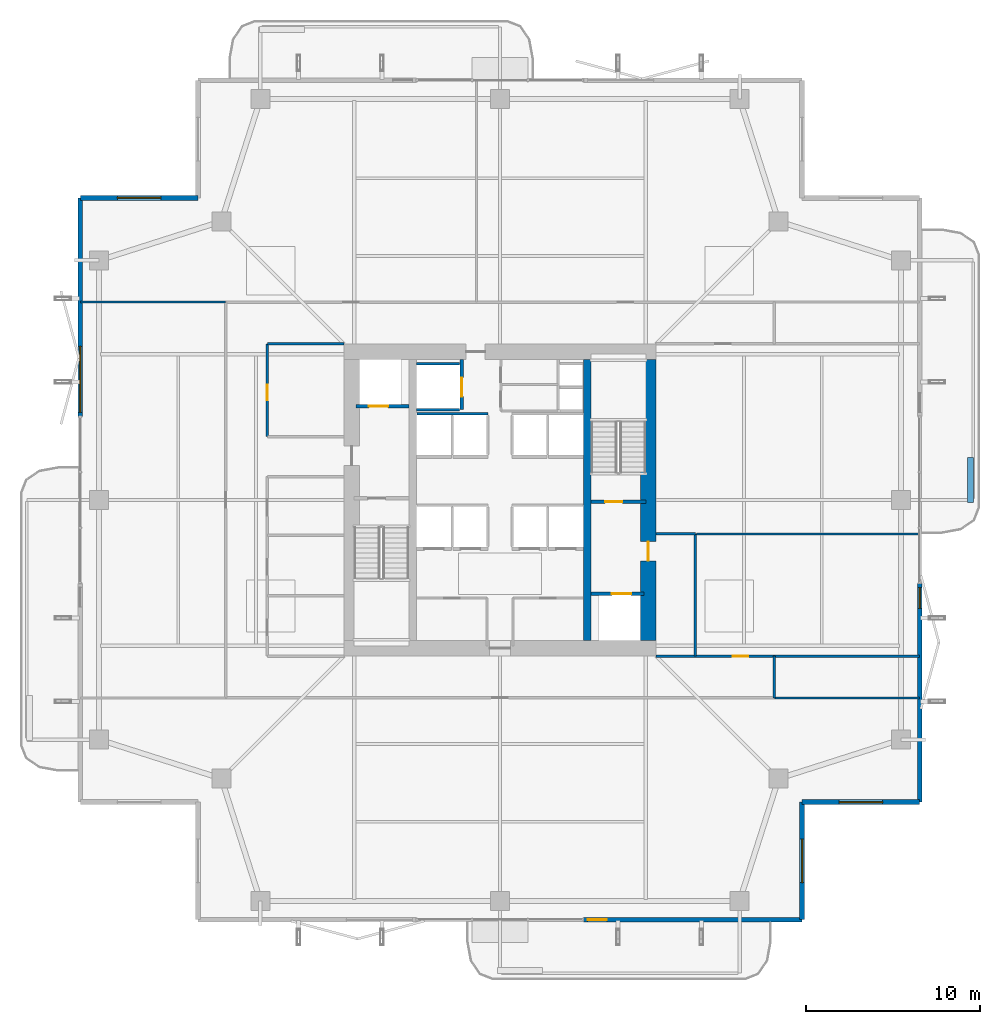
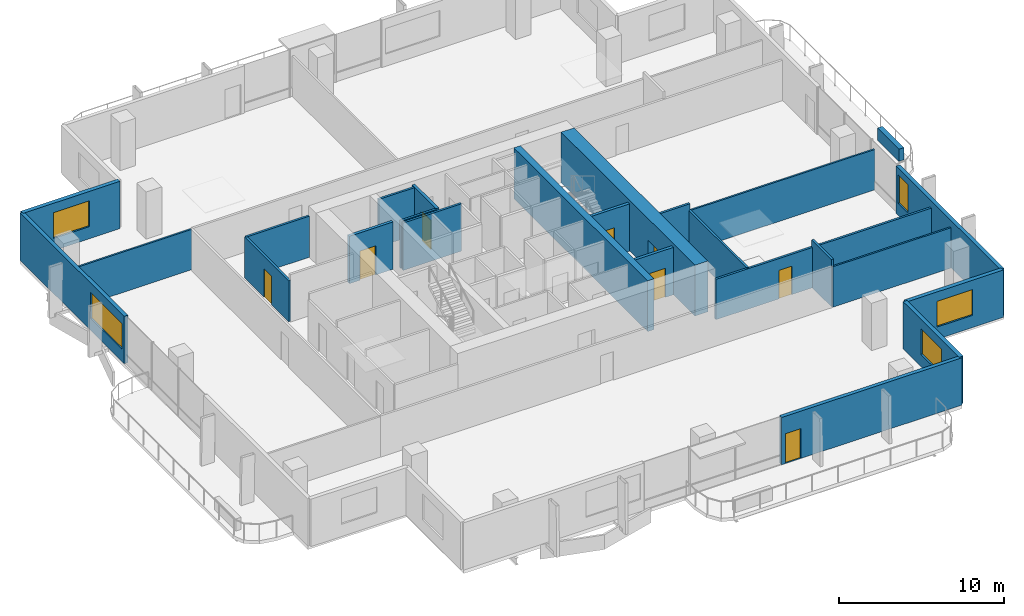
# One storey, part 19 of 25: 25 walls, 8 doors, 5 windows, 13 openings.
"""IFC4 building model written with IfcOpenShell, lengths in metres."""

import ifcopenshell
import ifcopenshell.guid

model = None  # the IFC model being written
_history = None  # IfcOwnerHistory: only IFC2X3 demands one
_inside = {}  # id of a spatial element -> (the spatial element, [elements in it])
_under = {}  # id of a project, library or spatial element -> (it, [spatial elements below it])
_declared = {}  # id of a project -> (the project, [libraries it declares])
_typed = {}  # id of a type object -> (the type object, [elements of that type])
_made_of = {}  # id of a material, layer set ... -> (it, [elements and type objects made of it])


def new_model(schema):
    """Start an empty IFC model of exactly this schema.

    Asked for "IFC4X3", IfcOpenShell would pick the latest addendum, in which some entities
    have other attributes; the version numbers below select the first issue.
    IFC2X3 requires an IfcOwnerHistory on every rooted entity: one is made here for all.
    """
    global model, _history
    if schema == "IFC4X3":
        model = ifcopenshell.file(schema_version=(4, 3, 0, 0))
    else:
        model = ifcopenshell.file(schema=schema)
    _inside.clear()
    _under.clear()
    _declared.clear()
    _typed.clear()
    _made_of.clear()
    _history = None
    if model.schema == "IFC2X3":
        org = make("IfcOrganization", Name="unknown")
        user = make(
            "IfcPersonAndOrganization",
            ThePerson=make("IfcPerson", FamilyName="unknown"),
            TheOrganization=org,
        )
        app = make(
            "IfcApplication",
            ApplicationDeveloper=org,
            Version="unknown",
            ApplicationFullName="unknown",
            ApplicationIdentifier="unknown",
        )
        _history = make(
            "IfcOwnerHistory",
            OwningUser=user,
            OwningApplication=app,
            ChangeAction="ADDED",
            CreationDate=0,
        )
    return model


def make(cls, **values):
    """One entity of the class cls with the attributes given. An attribute that is None is left unset."""
    return model.create_entity(
        cls, **{name: value for name, value in values.items() if value is not None}
    )


def rooted(cls, **values):
    """An entity with a GlobalId (a new one), such as an element, a storey or a relation."""
    return make(cls, GlobalId=ifcopenshell.guid.new(), OwnerHistory=_history, **values)


def si_unit(unit_type, name, prefix=None):
    """IfcSIUnit, for example si_unit("LENGTHUNIT", "METRE", prefix="MILLI")."""
    return make("IfcSIUnit", UnitType=unit_type, Prefix=prefix, Name=name)


def assignment(units):
    """IfcUnitAssignment: the units of a project."""
    return None if units is None else make("IfcUnitAssignment", Units=units)


def point(xyz):
    """IfcCartesianPoint."""
    return None if xyz is None else make("IfcCartesianPoint", Coordinates=xyz)


def direction(xyz):
    """IfcDirection."""
    return None if xyz is None else make("IfcDirection", DirectionRatios=xyz)


def frame(location, z_axis=None, x_axis=None):
    """IfcAxis2Placement3D, a coordinate frame: its origin and axes. An axis left out is left unset."""
    return make(
        "IfcAxis2Placement3D",
        Location=point(location),
        Axis=direction(z_axis),
        RefDirection=direction(x_axis),
    )


def frame_2d(location, x_axis=None):
    """IfcAxis2Placement2D, a coordinate frame in the plane: its origin and x axis."""
    return make(
        "IfcAxis2Placement2D", Location=point(location), RefDirection=direction(x_axis)
    )


def origin():
    """The frame at (0, 0, 0) with its axes left unset."""
    return frame((0.0, 0.0, 0.0))


def place(relative_to, where):
    """IfcLocalPlacement: puts the frame where relative to a parent placement (None: the world)."""
    return make(
        "IfcLocalPlacement", PlacementRelTo=relative_to, RelativePlacement=where
    )


def context(
    kind, dimensions, precision=None, world=None, true_north=None, identifier=None
):
    """IfcGeometricRepresentationContext, for example the 3D "Model" context."""
    return make(
        "IfcGeometricRepresentationContext",
        ContextIdentifier=identifier,
        ContextType=kind,
        CoordinateSpaceDimension=dimensions,
        Precision=precision,
        WorldCoordinateSystem=world,
        TrueNorth=true_north,
    )


def subcontext(parent, identifier, kind, view, scale=None):
    """IfcGeometricRepresentationSubContext, for example "Body" below "Model"."""
    return make(
        "IfcGeometricRepresentationSubContext",
        ContextIdentifier=identifier,
        ContextType=kind,
        ParentContext=parent,
        TargetScale=scale,
        TargetView=view,
    )


def project(units=None, contexts=None):
    """IfcProject with its units and contexts."""
    return rooted(
        "IfcProject",
        Name="project",
        RepresentationContexts=contexts,
        UnitsInContext=assignment(units),
    )


def spatial(cls, under=None, at=None, **own):
    """A site, building, storey or space (cls), placed at a placement, below another one or the project."""
    s = rooted(cls, ObjectPlacement=at, **own)
    if under is not None:
        _under.setdefault(under.id(), (under, []))[1].append(s)
    return s


def profile(cls, at=None, kind="AREA", **sizes):
    """A parametric profile (cls). Its sizes go by their IFC names, for example OverallWidth=200.0."""
    return make(cls, ProfileType=kind, Position=at, **sizes)


def rectangle(**sizes):
    """IfcRectangleProfileDef."""
    return profile("IfcRectangleProfileDef", **sizes)


def extrude(swept, where, along, depth):
    """IfcExtrudedAreaSolid: the profile swept, set in the frame where, extruded along a direction by depth."""
    return make(
        "IfcExtrudedAreaSolid",
        SweptArea=swept,
        Position=where,
        ExtrudedDirection=direction(along),
        Depth=depth,
    )


def shape(context_of_items, identifier, shape_type, items):
    """IfcShapeRepresentation: the items that make up one representation, for example the "Body"."""
    return make(
        "IfcShapeRepresentation",
        ContextOfItems=context_of_items,
        RepresentationIdentifier=identifier,
        RepresentationType=shape_type,
        Items=items,
    )


def material(Name=None, Category=None):
    """IfcMaterial."""
    return make("IfcMaterial", Name=Name, Category=Category)


def layer(
    of_material, thickness, ventilated=None, Name=None, Category=None, Priority=None
):
    """IfcMaterialLayer: one layer of a wall or slab, of a material (None: an air gap)."""
    return make(
        "IfcMaterialLayer",
        Material=of_material,
        LayerThickness=thickness,
        IsVentilated=ventilated,
        Name=Name,
        Category=Category,
        Priority=Priority,
    )


def layer_set(layers, Name=None):
    """IfcMaterialLayerSet."""
    return make("IfcMaterialLayerSet", MaterialLayers=layers, LayerSetName=Name)


def made_of(thing, what):
    """Note that an element or type object is made of a material, layer set ...; save() writes the relation."""
    if what is not None:
        _made_of.setdefault(what.id(), (what, []))[1].append(thing)
    return thing


def type_object(cls, material=None, **own):
    """A type object (cls), such as IfcWallType, which elements share."""
    return made_of(rooted(cls, **own), material)


def element(
    cls,
    number,
    at=None,
    inside=None,
    cuts=None,
    type_object=None,
    material=None,
    context=None,
    identifier="Body",
    shape_type=None,
    held_by="IfcProductDefinitionShape",
    body=None,
    shapes=None,
    **own,
):
    """One element of the class cls, such as IfcWall. Its Tag is "e" and its number.

    at: its placement. inside: the storey or other place that contains it. cuts: it is an
    opening in that element (IfcRelVoidsElement). A single representation is given by context,
    identifier, shape_type and body (its items); several are given by shapes. held_by: the class
    of the entity that holds the representations. save() writes the other relations.
    """
    e = rooted(cls, Tag="e%d" % number, ObjectPlacement=at, **own)
    if body is not None:
        shapes = [shape(context, identifier, shape_type, body)]
    if shapes is not None:
        e.Representation = make(held_by, Representations=shapes)
    if inside is not None:
        _inside.setdefault(inside.id(), (inside, []))[1].append(e)
    if cuts is not None:
        rooted(
            "IfcRelVoidsElement", RelatingBuildingElement=cuts, RelatedOpeningElement=e
        )
    if type_object is not None:
        _typed.setdefault(type_object.id(), (type_object, []))[1].append(e)
    return made_of(e, material)


def fill(opening, filler):
    """IfcRelFillsElement: the door or window that sits in an opening."""
    return rooted(
        "IfcRelFillsElement",
        RelatingOpeningElement=opening,
        RelatedBuildingElement=filler,
    )


def aggregate(whole, parts):
    """IfcRelAggregates: a whole, such as a stair, and the parts it consists of."""
    return rooted("IfcRelAggregates", RelatingObject=whole, RelatedObjects=parts)


def save(model, path):
    """Write the relations noted so far, then the file.

    IfcRelAggregates (storeys below a building ...), IfcRelContainedInSpatialStructure (elements
    in a storey), IfcRelDefinesByType, IfcRelAssociatesMaterial and IfcRelDeclares: one each for
    every whole, place, type object, material and project.
    """
    for whole, parts in _under.values():
        aggregate(whole, parts)
    for where, things in _inside.values():
        rooted(
            "IfcRelContainedInSpatialStructure",
            RelatedElements=things,
            RelatingStructure=where,
        )
    for kind, things in _typed.values():
        rooted("IfcRelDefinesByType", RelatedObjects=things, RelatingType=kind)
    for what, things in _made_of.values():
        rooted("IfcRelAssociatesMaterial", RelatedObjects=things, RelatingMaterial=what)
    for by, libraries in _declared.values():
        rooted("IfcRelDeclares", RelatingContext=by, RelatedDefinitions=libraries)
    model.write(path)


model = new_model("IFC4")

# Units and contexts
model_context = context("Model", 3, precision=1e-05, world=origin(), true_north=direction((0.0, 1.0)))
body_context = subcontext(model_context, "Body", "Model", "MODEL_VIEW")
ifc_project = project(units=[si_unit("LENGTHUNIT", "METRE"), si_unit("AREAUNIT", "SQUARE_METRE"), si_unit("VOLUMEUNIT", "CUBIC_METRE"), si_unit("PLANEANGLEUNIT", "RADIAN"), si_unit("MASSUNIT", "GRAM", prefix="KILO")], contexts=[model_context])

# Site, building, storey
site_placement = place(None, origin())
site = spatial("IfcSite", under=ifc_project, at=site_placement, CompositionType="ELEMENT")
building_placement = place(site_placement, origin())
building = spatial("IfcBuilding", under=site, at=building_placement, Name="Belovzor Exchange Tower", CompositionType="ELEMENT")
storey_placement = place(building_placement, frame((0.0, 0.0, 175.800048828125)))
storey = spatial("IfcBuildingStorey", under=building, at=storey_placement, Name="L43", CompositionType="ELEMENT", Elevation=175.800048828125)

# Walls
ifc_material_1 = material(Name="Acoustic Plasterboard on Galvanised Studs", Category="gypsum")
ifc_layer_1 = layer(ifc_material_1, 0.1201171875)
ifc_layer_set_1 = layer_set([ifc_layer_1], Name="Acoustic Plasterboard on Galvanised Studs")
wall_type_1 = type_object("IfcWallType", Name="Acoustic Double-Stud Partition Wall 120", PredefinedType="PARTITIONING", material=ifc_layer_set_1)
wall_1_placement = place(storey_placement, frame((40.125, 26.85009765625, 0.0), z_axis=(0.0, 0.0, 1.0), x_axis=(1.0, 0.0, 0.0)))
element("IfcWall", 1, at=wall_1_placement, inside=storey, type_object=wall_type_1, Name="W-P120 Partition Wall W-L43-EDIV-1", PredefinedType="PARTITIONING", context=body_context, shape_type="SweptSolid", body=[
    extrude(rectangle(XDim=12.844970703125, YDim=0.1201171875, at=frame_2d((6.42236328125, 0.0))), origin(), (0.0, 0.0, 1.0), 2.97998046875),
])
wall_2_placement = place(storey_placement, frame((44.60009765625, 17.39990234375, 0.0), z_axis=(0.0, 0.0, 1.0), x_axis=(1.0, 0.0, 0.0)))
element("IfcWall", 2, at=wall_2_placement, inside=storey, type_object=wall_type_1, Name="W-P120 Partition Wall W-L43-END-SE", PredefinedType="PARTITIONING", context=body_context, shape_type="SweptSolid", body=[
    extrude(rectangle(XDim=8.369873046875, YDim=0.1201171875, at=frame_2d((4.18505859375, 0.0))), origin(), (0.0, 0.0, 1.0), 2.97998046875),
])
wall_3_placement = place(storey_placement, frame((4.6298828125, 40.199951171875, 0.0), z_axis=(0.0, 0.0, 1.0), x_axis=(1.0, 0.0, 0.0)))
element("IfcWall", 3, at=wall_3_placement, inside=storey, type_object=wall_type_1, Name="W-P120 Partition Wall W-L43-END-NW", PredefinedType="PARTITIONING", context=body_context, shape_type="SweptSolid", body=[
    extrude(rectangle(XDim=8.3701171875, YDim=0.1201171875, at=frame_2d((4.18505859375, 0.0))), origin(), (0.0, 0.0, 1.0), 2.97998046875),
])
ifc_material_2 = material(Name="Fire-Rated Gypsum Block and Mineral Wool", Category="gypsum")
ifc_layer_2 = layer(ifc_material_2, 0.14990234375)
ifc_layer_set_2 = layer_set([ifc_layer_2], Name="Fire-Rated Gypsum Block and Mineral Wool")
wall_type_2 = type_object("IfcWallType", Name="Fire-Rated Gypsum Block Corridor Wall 150", PredefinedType="PARTITIONING", material=ifc_layer_set_2)
wall_4_placement = place(storey_placement, frame((15.39990234375, 37.800048828125, 0.0), z_axis=(0.0, 0.0, 1.0), x_axis=(1.0, 0.0, 0.0)))
element("IfcWall", 4, at=wall_4_placement, inside=storey, type_object=wall_type_2, Name="W-P150 Partition Wall W-L43-INW-N", PredefinedType="PARTITIONING", context=body_context, shape_type="SweptSolid", body=[
    extrude(rectangle(XDim=4.400146484375, YDim=0.14990234375, at=frame_2d((2.2001953125, 0.0))), origin(), (0.0, 0.0, 1.0), 3.030029296875),
])

# Wall, opening, door
wall_5_placement = place(storey_placement, frame((15.39990234375, 32.449951171875, 0.0), z_axis=(0.0, 0.0, 1.0), x_axis=(0.0, 1.0, 0.0)))
wall_5 = element("IfcWall", 5, at=wall_5_placement, inside=storey, type_object=wall_type_2, Name="W-P150 Partition Wall W-L43-WIE-N", PredefinedType="PARTITIONING", context=body_context, shape_type="SweptSolid", body=[
    extrude(rectangle(XDim=5.35009765625, YDim=0.14990234375, at=frame_2d((2.675048828125, 0.0))), origin(), (0.0, 0.0, 1.0), 3.030029296875),
])
opening_1_placement = place(wall_5_placement, frame((2.10009765625, 0.0, 0.0)))
opening_1 = element("IfcOpeningElement", 6, at=opening_1_placement, cuts=wall_5, Name="Opening D-FD60-090", PredefinedType="OPENING", context=body_context, shape_type="SweptSolid", body=[
    extrude(rectangle(XDim=0.89990234375, YDim=2.10009765625, at=frame_2d((0.449951171875, 1.050048828125))), frame((0.0, 0.0849609375, 0.0), z_axis=(0.0, -1.0, 0.0), x_axis=(1.0, 0.0, 0.0)), (0.0, 0.0, 1.0), 0.169921875),
])
ifc_material_3 = material(Name="Acoustic Timber Fire Leaf", Category="wood")
door_type_1 = type_object("IfcDoorType", Name="Core Service & Restroom Fire Door 900x2100", OperationType="NOTDEFINED", PredefinedType="DOOR", material=ifc_material_3)
door_1_placement = place(opening_1_placement, origin())
door_1 = element("IfcDoor", 7, at=door_1_placement, inside=storey, type_object=door_type_1, Name="D-FD60-090 Core Service & Restroom Fire Door 900x2100", OperationType="SINGLE_SWING_LEFT", OverallHeight=2.10009765625, OverallWidth=0.89990234375, PredefinedType="DOOR", context=body_context, shape_type="SweptSolid", body=[
    extrude(rectangle(XDim=0.89990234375, YDim=2.10009765625, at=frame_2d((0.449951171875, 1.050048828125))), frame((0.0, 0.02490234375, 0.0), z_axis=(0.0, -1.0, 0.0), x_axis=(1.0, 0.0, 0.0)), (0.0, 0.0, 1.0), 0.050048828125),
])
fill(opening_1, door_1)

# Walls
wall_6_placement = place(storey_placement, frame((37.800048828125, 26.85009765625, 0.0), z_axis=(0.0, 0.0, 1.0), x_axis=(1.0, 0.0, 0.0)))
element("IfcWall", 8, at=wall_6_placement, inside=storey, type_object=wall_type_2, Name="W-P150 Partition Wall W-L43-CFE-N", PredefinedType="PARTITIONING", context=body_context, shape_type="SweptSolid", body=[
    extrude(rectangle(XDim=2.25, YDim=0.14990234375, at=frame_2d((1.125, 0.0))), origin(), (0.0, 0.0, 1.0), 3.494873046875),
])
wall_7_placement = place(storey_placement, frame((40.050048828125, 19.800048828125, 0.0), z_axis=(0.0, 0.0, 1.0), x_axis=(0.0, 1.0, 0.0)))
element("IfcWall", 9, at=wall_7_placement, inside=storey, type_object=wall_type_2, Name="W-P150 Partition Wall W-L43-CFE-E", PredefinedType="PARTITIONING", context=body_context, shape_type="SweptSolid", body=[
    extrude(rectangle(XDim=7.050048828125, YDim=0.14990234375, at=frame_2d((3.52490234375, 0.0))), origin(), (0.0, 0.0, 1.0), 3.030029296875),
])
wall_8_placement = place(storey_placement, frame((44.60009765625, 17.39990234375, 0.0), z_axis=(0.0, 0.0, 1.0), x_axis=(0.0, 1.0, 0.0)))
element("IfcWall", 10, at=wall_8_placement, inside=storey, type_object=wall_type_2, Name="W-P150 Partition Wall W-L43-END-ES", PredefinedType="PARTITIONING", context=body_context, shape_type="SweptSolid", body=[
    extrude(rectangle(XDim=2.400146484375, YDim=0.14990234375, at=frame_2d((1.2001953125, 0.0))), origin(), (0.0, 0.0, 1.0), 3.494873046875),
])

# Wall, opening, door
wall_9_placement = place(storey_placement, frame((37.800048828125, 19.800048828125, 0.0), z_axis=(0.0, 0.0, 1.0), x_axis=(1.0, 0.0, 0.0)))
wall_9 = element("IfcWall", 11, at=wall_9_placement, inside=storey, type_object=wall_type_2, Name="W-P150 Partition Wall W-L43-CS-IN", PredefinedType="PARTITIONING", context=body_context, shape_type="SweptSolid", body=[
    extrude(rectangle(XDim=15.169921875, YDim=0.14990234375, at=frame_2d((7.5849609375, 0.0))), origin(), (0.0, 0.0, 1.0), 2.97998046875),
])
opening_2_placement = place(wall_9_placement, frame((4.39990234375, 0.0, 0.0)))
opening_2 = element("IfcOpeningElement", 12, at=opening_2_placement, cuts=wall_9, Name="Opening D-INT-090", PredefinedType="OPENING", context=body_context, shape_type="SweptSolid", body=[
    extrude(rectangle(XDim=0.89990234375, YDim=2.10009765625, at=frame_2d((0.449951171875, 1.050048828125))), frame((0.0, 0.0849609375, 0.0), z_axis=(0.0, -1.0, 0.0), x_axis=(1.0, 0.0, 0.0)), (0.0, 0.0, 1.0), 0.169921875),
])
ifc_material_4 = material(Name="Veneered Hardwood Acoustic Leaf", Category="wood")
door_type_2 = type_object("IfcDoorType", Name="Trading Suite Acoustic Single Door 900x2100", OperationType="NOTDEFINED", PredefinedType="DOOR", material=ifc_material_4)
door_2_placement = place(opening_2_placement, origin())
door_2 = element("IfcDoor", 13, at=door_2_placement, inside=storey, type_object=door_type_2, Name="D-INT-090 Trading Suite Acoustic Single Door 900x2100", OperationType="SINGLE_SWING_LEFT", OverallHeight=2.10009765625, OverallWidth=0.89990234375, PredefinedType="DOOR", context=body_context, shape_type="SweptSolid", body=[
    extrude(rectangle(XDim=0.89990234375, YDim=2.10009765625, at=frame_2d((0.449951171875, 1.050048828125))), frame((0.0, 0.02490234375, 0.0), z_axis=(0.0, -1.0, 0.0), x_axis=(1.0, 0.0, 0.0)), (0.0, 0.0, 1.0), 0.050048828125),
])
fill(opening_2, door_2)

# Wall, opening, window
ifc_material_5 = material(Name="Precast concrete C40/50", Category="concrete")
ifc_layer_3 = layer(ifc_material_5, 0.280029296875)
ifc_layer_set_3 = layer_set([ifc_layer_3], Name="Precast concrete C40/50")
wall_type_3 = type_object("IfcWallType", Name="Precast Concrete Notched Corner Frame Wall 280", PredefinedType="SOLIDWALL", material=ifc_layer_set_3)
wall_10_placement = place(storey_placement, frame((4.6298828125, 46.199951171875, 0.0), z_axis=(0.0, 0.0, 1.0), x_axis=(1.0, 0.0, 0.0)))
wall_10 = element("IfcWall", 14, at=wall_10_placement, inside=storey, type_object=wall_type_3, Name="W-CRN280 Precast Concrete Notched Corner Frame Wall 280 L43", PredefinedType="SOLIDWALL", context=body_context, shape_type="SweptSolid", body=[
    extrude(rectangle(XDim=6.77001953125, YDim=0.280029296875, at=frame_2d((3.385009765625, 0.0))), origin(), (0.0, 0.0, 1.0), 3.494873046875),
])
opening_3_placement = place(wall_10_placement, frame((2.135009765625, 0.0, 0.89990234375)))
opening_3 = element("IfcOpeningElement", 15, at=opening_3_placement, cuts=wall_10, Name="Opening WN-CRN250", PredefinedType="OPENING", context=body_context, shape_type="SweptSolid", body=[
    extrude(rectangle(XDim=2.5, YDim=1.89990234375, at=frame_2d((1.25, 0.949951171875))), frame((0.0, 0.14990234375, 0.0), z_axis=(0.0, -1.0, 0.0), x_axis=(1.0, 0.0, 0.0)), (0.0, 0.0, 1.0), 0.300048828125),
])
ifc_material_6 = material(Name="Thermally Broken Aluminium and Triple Glazing", Category="aluminium")
window_type_1 = type_object("IfcWindowType", Name="Streamline Moderne Corner Wrap Ribbon Window 2500x1900", PartitioningType="SINGLE_PANEL", PredefinedType="WINDOW", material=ifc_material_6)
window_1_placement = place(opening_3_placement, origin())
window_1 = element("IfcWindow", 16, at=window_1_placement, inside=storey, type_object=window_type_1, Name="WN-CRN250 Streamline Moderne Corner Wrap Ribbon Window 2500x1900", OverallHeight=1.89990234375, OverallWidth=2.5, PartitioningType="SINGLE_PANEL", PredefinedType="WINDOW", context=body_context, shape_type="SweptSolid", body=[
    extrude(rectangle(XDim=2.5, YDim=1.89990234375, at=frame_2d((1.25, 0.949951171875))), frame((0.0, 0.030029296875, 0.0), z_axis=(0.0, -1.0, 0.0), x_axis=(1.0, 0.0, 0.0)), (0.0, 0.0, 1.0), 0.06005859375),
])
fill(opening_3, window_1)

wall_11_placement = place(storey_placement, frame((52.969970703125, 11.39990234375, 0.0), z_axis=(0.0, 0.0, 1.0), x_axis=(-1.0, 0.0, 0.0)))
wall_11 = element("IfcWall", 17, at=wall_11_placement, inside=storey, type_object=wall_type_3, Name="W-CRN280 Precast Concrete Notched Corner Frame Wall 280 L43", PredefinedType="SOLIDWALL", context=body_context, shape_type="SweptSolid", body=[
    extrude(rectangle(XDim=6.77001953125, YDim=0.280029296875, at=frame_2d((3.385009765625, 0.0))), origin(), (0.0, 0.0, 1.0), 3.494873046875),
])
opening_4_placement = place(wall_11_placement, frame((2.135009765625, 0.0, 0.89990234375)))
opening_4 = element("IfcOpeningElement", 18, at=opening_4_placement, cuts=wall_11, Name="Opening WN-CRN250", PredefinedType="OPENING", context=body_context, shape_type="SweptSolid", body=[
    extrude(rectangle(XDim=2.5, YDim=1.89990234375, at=frame_2d((1.25, 0.949951171875))), frame((0.0, 0.14990234375, 0.0), z_axis=(0.0, -1.0, 0.0), x_axis=(1.0, 0.0, 0.0)), (0.0, 0.0, 1.0), 0.300048828125),
])
window_2_placement = place(opening_4_placement, origin())
window_2 = element("IfcWindow", 19, at=window_2_placement, inside=storey, type_object=window_type_1, Name="WN-CRN250 Streamline Moderne Corner Wrap Ribbon Window 2500x1900", OverallHeight=1.89990234375, OverallWidth=2.5, PartitioningType="SINGLE_PANEL", PredefinedType="WINDOW", context=body_context, shape_type="SweptSolid", body=[
    extrude(rectangle(XDim=2.5, YDim=1.89990234375, at=frame_2d((1.25, 0.949951171875))), frame((0.0, 0.030029296875, 0.0), z_axis=(0.0, -1.0, 0.0), x_axis=(1.0, 0.0, 0.0)), (0.0, 0.0, 1.0), 0.06005859375),
])
fill(opening_4, window_2)

wall_12_placement = place(storey_placement, frame((46.199951171875, 11.39990234375, 0.0), z_axis=(0.0, 0.0, 1.0), x_axis=(0.0, -1.0, 0.0)))
wall_12 = element("IfcWall", 20, at=wall_12_placement, inside=storey, type_object=wall_type_3, Name="W-CRN280 Precast Concrete Notched Corner Frame Wall 280 L43", PredefinedType="SOLIDWALL", context=body_context, shape_type="SweptSolid", body=[
    extrude(rectangle(XDim=6.77001953125, YDim=0.280029296875, at=frame_2d((3.385009765625, 0.0))), origin(), (0.0, 0.0, 1.0), 3.494873046875),
])
opening_5_placement = place(wall_12_placement, frame((2.135009765625, 0.0, 0.89990234375)))
opening_5 = element("IfcOpeningElement", 21, at=opening_5_placement, cuts=wall_12, Name="Opening WN-CRN250", PredefinedType="OPENING", context=body_context, shape_type="SweptSolid", body=[
    extrude(rectangle(XDim=2.5, YDim=1.89990234375, at=frame_2d((1.25, 0.949951171875))), frame((0.0, 0.14990234375, 0.0), z_axis=(0.0, -1.0, 0.0), x_axis=(1.0, 0.0, 0.0)), (0.0, 0.0, 1.0), 0.300048828125),
])
window_3_placement = place(opening_5_placement, origin())
window_3 = element("IfcWindow", 22, at=window_3_placement, inside=storey, type_object=window_type_1, Name="WN-CRN250 Streamline Moderne Corner Wrap Ribbon Window 2500x1900", OverallHeight=1.89990234375, OverallWidth=2.5, PartitioningType="SINGLE_PANEL", PredefinedType="WINDOW", context=body_context, shape_type="SweptSolid", body=[
    extrude(rectangle(XDim=2.5, YDim=1.89990234375, at=frame_2d((1.25, 0.949951171875))), frame((0.0, 0.030029296875, 0.0), z_axis=(0.0, -1.0, 0.0), x_axis=(1.0, 0.0, 0.0)), (0.0, 0.0, 1.0), 0.06005859375),
])
fill(opening_5, window_3)

# Wall, opening, door
ifc_material_7 = material(Name="Precast concrete C40/50", Category="concrete")
ifc_layer_4 = layer(ifc_material_7, 0.260009765625)
ifc_layer_set_4 = layer_set([ifc_layer_4], Name="Precast concrete C40/50")
wall_type_4 = type_object("IfcWallType", Name="Precast Concrete Perimeter Loggia Frame Wall 260", PredefinedType="SOLIDWALL", material=ifc_layer_set_4)
wall_13_placement = place(storey_placement, frame((46.199951171875, 4.6298828125, 0.0), z_axis=(0.0, 0.0, 1.0), x_axis=(-1.0, 0.0, 0.0)))
wall_13 = element("IfcWall", 23, at=wall_13_placement, inside=storey, type_object=wall_type_4, Name="W-EXT260 Precast Concrete Perimeter Loggia Frame Wall 260 L43", PredefinedType="SOLIDWALL", context=body_context, shape_type="SweptSolid", body=[
    extrude(rectangle(XDim=12.599853515625, YDim=0.260009765625, at=frame_2d((6.2998046875, 0.0))), origin(), (0.0, 0.0, 1.0), 3.494873046875),
])
opening_6_placement = place(wall_13_placement, frame((11.25, 0.0, 0.0)))
opening_6 = element("IfcOpeningElement", 24, at=opening_6_placement, cuts=wall_13, Name="Opening D-BAL110", PredefinedType="OPENING", context=body_context, shape_type="SweptSolid", body=[
    extrude(rectangle(XDim=1.10009765625, YDim=2.199951171875, at=frame_2d((0.550048828125, 1.10009765625))), frame((0.0, 0.139892578125, 0.0), z_axis=(0.0, -1.0, 0.0), x_axis=(1.0, 0.0, 0.0)), (0.0, 0.0, 1.0), 0.280029296875),
])
ifc_material_8 = material(Name="Thermally Broken Anodised Aluminium and Laminated Glass", Category="aluminium")
door_type_3 = type_object("IfcDoorType", Name="Planted Loggia Terrace Glazed Door 1100x2200", OperationType="SINGLE_SWING_LEFT", PredefinedType="DOOR", material=ifc_material_8)
door_3_placement = place(opening_6_placement, origin())
door_3 = element("IfcDoor", 25, at=door_3_placement, inside=storey, type_object=door_type_3, Name="D-BAL110 Balcony Terrace Door L43 S", OperationType="SINGLE_SWING_LEFT", OverallHeight=2.199951171875, OverallWidth=1.10009765625, PredefinedType="DOOR", context=body_context, shape_type="SweptSolid", body=[
    extrude(rectangle(XDim=1.10009765625, YDim=2.199951171875, at=frame_2d((0.550048828125, 1.10009765625))), frame((0.0, 0.02490234375, 0.0), z_axis=(0.0, -1.0, 0.0), x_axis=(1.0, 0.0, 0.0)), (0.0, 0.0, 1.0), 0.050048828125),
])
fill(opening_6, door_3)

# Wall, opening, window
wall_14_placement = place(storey_placement, frame((4.6298828125, 33.60009765625, 0.0), z_axis=(0.0, 0.0, 1.0), x_axis=(0.0, 1.0, 0.0)))
wall_14 = element("IfcWall", 26, at=wall_14_placement, inside=storey, type_object=wall_type_4, Name="W-EXT260 Precast Concrete Perimeter Loggia Frame Wall 260 L43", PredefinedType="SOLIDWALL", context=body_context, shape_type="SweptSolid", body=[
    extrude(rectangle(XDim=12.599853515625, YDim=0.260009765625, at=frame_2d((6.2998046875, 0.0))), origin(), (0.0, 0.0, 1.0), 3.494873046875),
])
opening_7_placement = place(wall_14_placement, frame((0.25, 0.0, 0.89990234375)))
opening_7 = element("IfcOpeningElement", 27, at=opening_7_placement, cuts=wall_14, Name="Opening WN-RIB380", PredefinedType="OPENING", context=body_context, shape_type="SweptSolid", body=[
    extrude(rectangle(XDim=3.800048828125, YDim=1.89990234375, at=frame_2d((1.89990234375, 0.949951171875))), frame((0.0, 0.139892578125, 0.0), z_axis=(0.0, -1.0, 0.0), x_axis=(1.0, 0.0, 0.0)), (0.0, 0.0, 1.0), 0.280029296875),
])
ifc_material_9 = material(Name="Thermally Broken Aluminium and Triple Glazing", Category="aluminium")
window_type_2 = type_object("IfcWindowType", Name="Streamline Moderne Horizontal Ribbon Window 3800x1900", PartitioningType="SINGLE_PANEL", PredefinedType="WINDOW", material=ifc_material_9)
window_4_placement = place(opening_7_placement, origin())
window_4 = element("IfcWindow", 28, at=window_4_placement, inside=storey, type_object=window_type_2, Name="WN-RIB380 Streamline Moderne Horizontal Ribbon Window 3800x1900", OverallHeight=1.89990234375, OverallWidth=3.800048828125, PartitioningType="SINGLE_PANEL", PredefinedType="WINDOW", context=body_context, shape_type="SweptSolid", body=[
    extrude(rectangle(XDim=3.800048828125, YDim=1.89990234375, at=frame_2d((1.89990234375, 0.949951171875))), frame((0.0, 0.030029296875, 0.0), z_axis=(0.0, -1.0, 0.0), x_axis=(1.0, 0.0, 0.0)), (0.0, 0.0, 1.0), 0.06005859375),
])
fill(opening_7, window_4)

wall_15_placement = place(storey_placement, frame((52.969970703125, 24.0, 0.0), z_axis=(0.0, 0.0, 1.0), x_axis=(0.0, -1.0, 0.0)))
wall_15 = element("IfcWall", 29, at=wall_15_placement, inside=storey, type_object=wall_type_4, Name="W-EXT260 Precast Concrete Perimeter Loggia Frame Wall 260 L43", PredefinedType="SOLIDWALL", context=body_context, shape_type="SweptSolid", body=[
    extrude(rectangle(XDim=12.60009765625, YDim=0.260009765625, at=frame_2d((6.300048828125, 0.0))), origin(), (0.0, 0.0, 1.0), 3.494873046875),
])
opening_8_placement = place(wall_15_placement, frame((0.25, 0.0, 0.89990234375)))
opening_8 = element("IfcOpeningElement", 30, at=opening_8_placement, cuts=wall_15, Name="Opening WN-CRN120", PredefinedType="OPENING", context=body_context, shape_type="SweptSolid", body=[
    extrude(rectangle(XDim=1.199951171875, YDim=2.10009765625, at=frame_2d((0.60009765625, 1.050048828125))), frame((0.0, 0.139892578125, 0.0), z_axis=(0.0, -1.0, 0.0), x_axis=(1.0, 0.0, 0.0)), (0.0, 0.0, 1.0), 0.280029296875),
])
ifc_material_10 = material(Name="Thermally Broken Aluminium and Triple Glazing", Category="aluminium")
window_type_3 = type_object("IfcWindowType", Name="Streamline Notched Corner Window 1200x2100", PartitioningType="SINGLE_PANEL", PredefinedType="WINDOW", material=ifc_material_10)
window_5_placement = place(opening_8_placement, origin())
window_5 = element("IfcWindow", 31, at=window_5_placement, inside=storey, type_object=window_type_3, Name="WN-CRN120 Streamline Notched Corner Window 1200x2100", OverallHeight=2.10009765625, OverallWidth=1.199951171875, PartitioningType="SINGLE_PANEL", PredefinedType="WINDOW", context=body_context, shape_type="SweptSolid", body=[
    extrude(rectangle(XDim=1.199951171875, YDim=2.10009765625, at=frame_2d((0.60009765625, 1.050048828125))), frame((0.0, 0.030029296875, 0.0), z_axis=(0.0, -1.0, 0.0), x_axis=(1.0, 0.0, 0.0)), (0.0, 0.0, 1.0), 0.06005859375),
])
fill(opening_8, window_5)

# Walls
ifc_material_11 = material(Name="Precast concrete C40/50", Category="concrete")
ifc_layer_5 = layer(ifc_material_11, 0.35009765625)
ifc_layer_set_5 = layer_set([ifc_layer_5], Name="Precast concrete C40/50")
wall_type_5 = type_object("IfcWallType", Name="Precast Concrete Structural Tree Planter Trough 350", PredefinedType="PARAPET", material=ifc_layer_set_5)
wall_16_placement = place(storey_placement, frame((55.89990234375, 28.64990234375, 0.0), z_axis=(0.0, 0.0, 1.0), x_axis=(0.0, 1.0, 0.0)))
element("IfcWall", 32, at=wall_16_placement, inside=storey, type_object=wall_type_5, Name="PT-350 Precast Concrete Structural Tree Planter Trough 350 L43", PredefinedType="PARAPET", context=body_context, shape_type="SweptSolid", body=[
    extrude(rectangle(XDim=2.60009765625, YDim=0.35009765625, at=frame_2d((1.300048828125, 0.0))), origin(), (0.0, 0.0, 1.0), 0.89990234375),
])
ifc_material_12 = material(Name="Concrete C50/60", Category="concrete")
ifc_layer_6 = layer(ifc_material_12, 0.449951171875)
ifc_layer_set_6 = layer_set([ifc_layer_6], Name="Concrete C50/60")
wall_type_6 = type_object("IfcWallType", Name="Reinforced Concrete Core Internal Web Wall 450", PredefinedType="SHEAR", material=ifc_layer_set_6)
wall_17_placement = place(storey_placement, frame((33.824951171875, 20.699951171875, 0.0), z_axis=(0.0, 0.0, 1.0), x_axis=(0.0, 1.0, 0.0)))
element("IfcWall", 33, at=wall_17_placement, inside=storey, type_object=wall_type_6, Name="CW-W045 Core Internal Web Wall L43 ER", PredefinedType="SHEAR", context=body_context, shape_type="SweptSolid", body=[
    extrude(rectangle(XDim=16.199951171875, YDim=0.449951171875, at=frame_2d((8.10009765625, 0.0))), origin(), (0.0, 0.0, 1.0), 3.75),
])
ifc_material_13 = material(Name="Concrete C50/60", Category="concrete")
ifc_layer_7 = layer(ifc_material_13, 0.14990234375)
ifc_layer_set_7 = layer_set([ifc_layer_7], Name="Concrete C50/60")
wall_type_7 = type_object("IfcWallType", Name="Reinforced Concrete Core Riser Shear Wall 150", PredefinedType="SHEAR", material=ifc_layer_set_7)
for number, where, z_axis, x_axis, name in (
    (34, (24.0, 34.0, 0.0), (0.0, 0.0, 1.0), (1.0, 0.0, 0.0), "W-C150S Core Shaft Wall W-SH-L43-SL-01S"),
    (35, (24.0, 36.64990234375, 0.0), (0.0, 0.0, 1.0), (1.0, 0.0, 0.0), "W-C150S Core Shaft Wall W-SH-L43-SL-01N"),
):
    element("IfcWall", number, at=place(storey_placement, frame(where, z_axis=z_axis, x_axis=x_axis)), inside=storey, type_object=wall_type_7, Name=name, PredefinedType="SHEAR", context=body_context, shape_type="SweptSolid", body=[
        extrude(rectangle(XDim=2.47998046875, YDim=0.14990234375, at=frame_2d((1.239990234375, 0.0))), origin(), (0.0, 0.0, 1.0), 3.494873046875),
    ])
wall_18_placement = place(storey_placement, frame((24.02001953125, 33.760009765625, 0.0), z_axis=(0.0, 0.0, 1.0), x_axis=(1.0, 0.0, 0.0)))
element("IfcWall", 36, at=wall_18_placement, inside=storey, type_object=wall_type_7, Name="W-C150S Core Shaft Wall W-SHB-L43-PLH-NW", PredefinedType="SHEAR", context=body_context, shape_type="SweptSolid", body=[
    extrude(rectangle(XDim=4.080078125, YDim=0.14990234375, at=frame_2d((2.0400390625, 0.0))), origin(), (0.0, 0.0, 1.0), 3.494873046875),
])

# Wall, opening, door
ifc_material_14 = material(Name="Concrete C50/60", Category="concrete")
ifc_layer_8 = layer(ifc_material_14, 0.199951171875)
ifc_layer_set_8 = layer_set([ifc_layer_8], Name="Concrete C50/60")
wall_type_8 = type_object("IfcWallType", Name="Reinforced Concrete Core Shaft Shear Wall 200", PredefinedType="SHEAR", material=ifc_layer_set_8)
wall_19_placement = place(storey_placement, frame((34.050048828125, 28.699951171875, 0.0), z_axis=(0.0, 0.0, 1.0), x_axis=(1.0, 0.0, 0.0)))
wall_19 = element("IfcWall", 37, at=wall_19_placement, inside=storey, type_object=wall_type_8, Name="W-C200S Core Shaft Wall W-CORE-L43-FFLE2", PredefinedType="SHEAR", context=body_context, shape_type="SweptSolid", body=[
    extrude(rectangle(XDim=3.14990234375, YDim=0.199951171875, at=frame_2d((1.574951171875, 0.0))), origin(), (0.0, 0.0, 1.0), 3.494873046875),
])
opening_9_placement = place(wall_19_placement, frame((0.800048828125, 0.0, 0.0)))
opening_9 = element("IfcOpeningElement", 38, at=opening_9_placement, cuts=wall_19, Name="Opening D-FD90-100", PredefinedType="OPENING", context=body_context, shape_type="SweptSolid", body=[
    extrude(rectangle(XDim=1.0, YDim=2.10009765625, at=frame_2d((0.5, 1.050048828125))), frame((0.0, 0.10986328125, 0.0), z_axis=(0.0, -1.0, 0.0), x_axis=(1.0, 0.0, 0.0)), (0.0, 0.0, 1.0), 0.219970703125),
])
ifc_material_15 = material(Name="Fire-Rated Galvanised Steel Leaf", Category="steel")
door_type_4 = type_object("IfcDoorType", Name="Protected Stairwell Single Fire Door 1000x2100", OperationType="NOTDEFINED", PredefinedType="DOOR", material=ifc_material_15)
door_4_placement = place(opening_9_placement, origin())
door_4 = element("IfcDoor", 39, at=door_4_placement, inside=storey, type_object=door_type_4, Name="D-FD90-100 Protected Stairwell Single Fire Door 1000x2100", OperationType="SINGLE_SWING_LEFT", OverallHeight=2.10009765625, OverallWidth=1.0, PredefinedType="DOOR", context=body_context, shape_type="SweptSolid", body=[
    extrude(rectangle(XDim=1.0, YDim=2.10009765625, at=frame_2d((0.5, 1.050048828125))), frame((0.0, 0.02490234375, 0.0), z_axis=(0.0, -1.0, 0.0), x_axis=(1.0, 0.0, 0.0)), (0.0, 0.0, 1.0), 0.050048828125),
])
fill(opening_9, door_4)

wall_20_placement = place(storey_placement, frame((20.5, 34.199951171875, 0.0), z_axis=(0.0, 0.0, 1.0), x_axis=(1.0, 0.0, 0.0)))
wall_20 = element("IfcWall", 40, at=wall_20_placement, inside=storey, type_object=wall_type_8, Name="W-C200S Core Shaft Wall W-SH-L43-FFL-01", PredefinedType="SHEAR", context=body_context, shape_type="SweptSolid", body=[
    extrude(rectangle(XDim=3.050048828125, YDim=0.199951171875, at=frame_2d((1.52490234375, 0.0))), origin(), (0.0, 0.0, 1.0), 3.494873046875),
])
opening_10_placement = place(wall_20_placement, frame((0.75, 0.0, 0.0)))
opening_10 = element("IfcOpeningElement", 41, at=opening_10_placement, cuts=wall_20, Name="Opening LD-110", PredefinedType="OPENING", context=body_context, shape_type="SweptSolid", body=[
    extrude(rectangle(XDim=1.10009765625, YDim=2.14990234375, at=frame_2d((0.550048828125, 1.074951171875))), frame((0.0, 0.10986328125, 0.0), z_axis=(0.0, -1.0, 0.0), x_axis=(1.0, 0.0, 0.0)), (0.0, 0.0, 1.0), 0.219970703125),
])
ifc_material_16 = material(Name="Stainless Steel Grade 304", Category="steel")
door_type_5 = type_object("IfcDoorType", Name="Automated Stainless Steel Lift Landing Door 1100x2150", OperationType="SLIDING_TO_RIGHT", PredefinedType="DOOR", material=ifc_material_16)
door_5_placement = place(opening_10_placement, origin())
door_5 = element("IfcDoor", 42, at=door_5_placement, inside=storey, type_object=door_type_5, Name="LD-110 Automated Stainless Steel Lift Landing Door 1100x2150", OperationType="SLIDING_TO_RIGHT", OverallHeight=2.14990234375, OverallWidth=1.10009765625, PredefinedType="DOOR", context=body_context, shape_type="SweptSolid", body=[
    extrude(rectangle(XDim=1.10009765625, YDim=2.14990234375, at=frame_2d((0.550048828125, 1.074951171875))), frame((0.0, 0.02490234375, 0.0), z_axis=(0.0, -1.0, 0.0), x_axis=(1.0, 0.0, 0.0)), (0.0, 0.0, 1.0), 0.050048828125),
])
fill(opening_10, door_5)

wall_21_placement = place(storey_placement, frame((34.050048828125, 23.39990234375, 0.0), z_axis=(0.0, 0.0, 1.0), x_axis=(1.0, 0.0, 0.0)))
wall_21 = element("IfcWall", 43, at=wall_21_placement, inside=storey, type_object=wall_type_8, Name="W-C200S Core Shaft Wall W-SH-L43-FFL-02", PredefinedType="SHEAR", context=body_context, shape_type="SweptSolid", body=[
    extrude(rectangle(XDim=3.050048828125, YDim=0.199951171875, at=frame_2d((1.52490234375, 0.0))), origin(), (0.0, 0.0, 1.0), 3.494873046875),
])
opening_11_placement = place(wall_21_placement, frame((1.199951171875, 0.0, 0.0)))
opening_11 = element("IfcOpeningElement", 44, at=opening_11_placement, cuts=wall_21, Name="Opening LD-110", PredefinedType="OPENING", context=body_context, shape_type="SweptSolid", body=[
    extrude(rectangle(XDim=1.10009765625, YDim=2.14990234375, at=frame_2d((0.550048828125, 1.074951171875))), frame((0.0, 0.10986328125, 0.0), z_axis=(0.0, -1.0, 0.0), x_axis=(1.0, 0.0, 0.0)), (0.0, 0.0, 1.0), 0.219970703125),
])
door_6_placement = place(opening_11_placement, origin())
door_6 = element("IfcDoor", 45, at=door_6_placement, inside=storey, type_object=door_type_5, Name="LD-110 Automated Stainless Steel Lift Landing Door 1100x2150", OperationType="SLIDING_TO_RIGHT", OverallHeight=2.14990234375, OverallWidth=1.10009765625, PredefinedType="DOOR", context=body_context, shape_type="SweptSolid", body=[
    extrude(rectangle(XDim=1.10009765625, YDim=2.14990234375, at=frame_2d((0.550048828125, 1.074951171875))), frame((0.0, 0.02490234375, 0.0), z_axis=(0.0, -1.0, 0.0), x_axis=(1.0, 0.0, 0.0)), (0.0, 0.0, 1.0), 0.050048828125),
])
fill(opening_11, door_6)

wall_22_placement = place(storey_placement, frame((26.60009765625, 34.0, 0.0), z_axis=(0.0, 0.0, 1.0), x_axis=(0.0, 1.0, 0.0)))
wall_22 = element("IfcWall", 46, at=wall_22_placement, inside=storey, type_object=wall_type_8, Name="W-C200S Core Shaft Wall W-SH-L43-SL-01", PredefinedType="SHEAR", context=body_context, shape_type="SweptSolid", body=[
    extrude(rectangle(XDim=2.89990234375, YDim=0.199951171875, at=frame_2d((1.449951171875, 0.0))), origin(), (0.0, 0.0, 1.0), 3.494873046875),
])
opening_12_placement = place(wall_22_placement, frame((0.75, 0.0, 0.0)))
opening_12 = element("IfcOpeningElement", 47, at=opening_12_placement, cuts=wall_22, Name="Opening LD-110", PredefinedType="OPENING", context=body_context, shape_type="SweptSolid", body=[
    extrude(rectangle(XDim=1.10009765625, YDim=2.14990234375, at=frame_2d((0.550048828125, 1.074951171875))), frame((0.0, 0.10986328125, 0.0), z_axis=(0.0, -1.0, 0.0), x_axis=(1.0, 0.0, 0.0)), (0.0, 0.0, 1.0), 0.219970703125),
])
door_7_placement = place(opening_12_placement, origin())
door_7 = element("IfcDoor", 48, at=door_7_placement, inside=storey, type_object=door_type_5, Name="LD-110 Automated Stainless Steel Lift Landing Door 1100x2150", OperationType="SLIDING_TO_RIGHT", OverallHeight=2.14990234375, OverallWidth=1.10009765625, PredefinedType="DOOR", context=body_context, shape_type="SweptSolid", body=[
    extrude(rectangle(XDim=1.10009765625, YDim=2.14990234375, at=frame_2d((0.550048828125, 1.074951171875))), frame((0.0, 0.02490234375, 0.0), z_axis=(0.0, -1.0, 0.0), x_axis=(1.0, 0.0, 0.0)), (0.0, 0.0, 1.0), 0.050048828125),
])
fill(opening_12, door_7)

ifc_material_17 = material(Name="Concrete C60/75", Category="concrete")
ifc_layer_9 = layer(ifc_material_17, 0.89990234375)
ifc_layer_set_9 = layer_set([ifc_layer_9], Name="Concrete C60/75")
wall_type_9 = type_object("IfcWallType", Name="Reinforced Concrete Core Shear Wall 900", PredefinedType="SHEAR", material=ifc_layer_set_9)
wall_23_placement = place(storey_placement, frame((37.35009765625, 20.699951171875, 0.0), z_axis=(0.0, 0.0, 1.0), x_axis=(0.0, 1.0, 0.0)))
wall_23 = element("IfcWall", 49, at=wall_23_placement, inside=storey, type_object=wall_type_9, Name="CW-S090 Core Shear Wall L43 E", PredefinedType="SHEAR", context=body_context, shape_type="SweptSolid", body=[
    extrude(rectangle(XDim=16.199951171875, YDim=0.89990234375, at=frame_2d((8.10009765625, 0.0))), origin(), (0.0, 0.0, 1.0), 3.75),
])
opening_13_placement = place(wall_23_placement, frame((4.60009765625, 0.0, 0.0)))
opening_13 = element("IfcOpeningElement", 50, at=opening_13_placement, cuts=wall_23, Name="Opening D-FD90-110", PredefinedType="OPENING", context=body_context, shape_type="SweptSolid", body=[
    extrude(rectangle(XDim=1.10009765625, YDim=2.14990234375, at=frame_2d((0.550048828125, 1.074951171875))), frame((0.0, 0.4599609375, 0.0), z_axis=(0.0, -1.0, 0.0), x_axis=(1.0, 0.0, 0.0)), (0.0, 0.0, 1.0), 0.919921875),
])
ifc_material_18 = material(Name="Fire-Rated Galvanised Steel Leaf", Category="steel")
door_type_6 = type_object("IfcDoorType", Name="Protected Escape Vestibule Fire Door 1100x2150", OperationType="NOTDEFINED", PredefinedType="DOOR", material=ifc_material_18)
door_8_placement = place(opening_13_placement, origin())
door_8 = element("IfcDoor", 51, at=door_8_placement, inside=storey, type_object=door_type_6, Name="D-FD90-110 Protected Escape Vestibule Fire Door 1100x2150", OperationType="SINGLE_SWING_RIGHT", OverallHeight=2.14990234375, OverallWidth=1.10009765625, PredefinedType="DOOR", context=body_context, shape_type="SweptSolid", body=[
    extrude(rectangle(XDim=1.10009765625, YDim=2.14990234375, at=frame_2d((0.550048828125, 1.074951171875))), frame((0.0, 0.02490234375, 0.0), z_axis=(0.0, -1.0, 0.0), x_axis=(1.0, 0.0, 0.0)), (0.0, 0.0, 1.0), 0.050048828125),
])
fill(opening_13, door_8)

save(model, "model.ifc")
